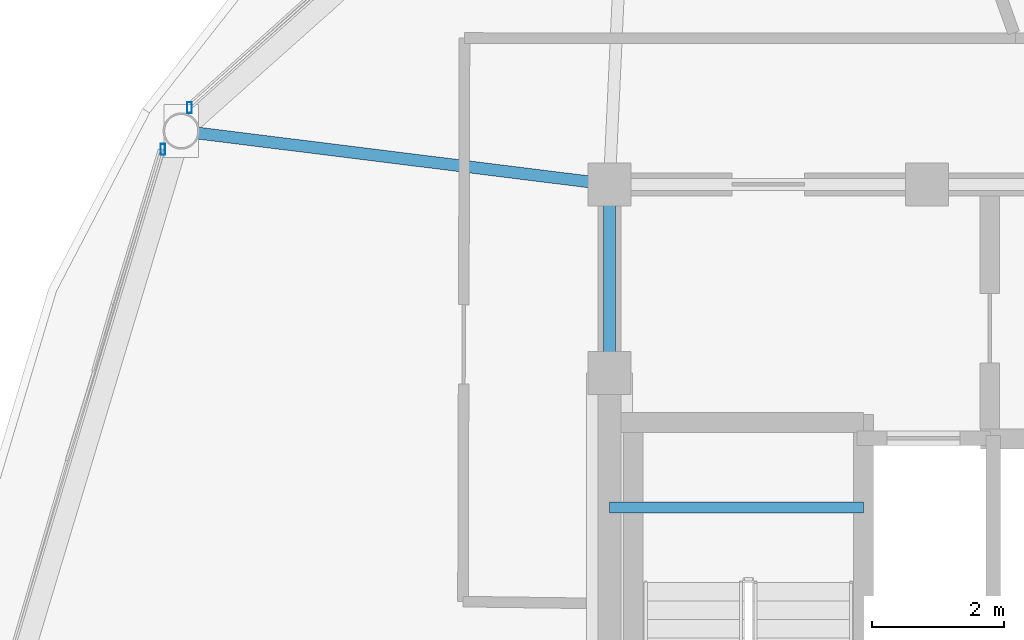
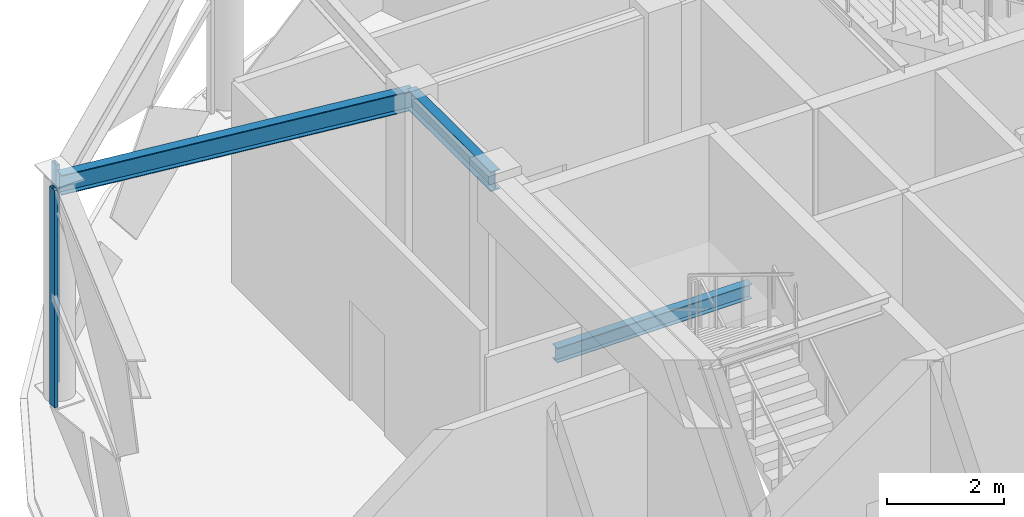
# One storey, part 8 of 22: 3 beams, 2 members, 2 elements without a shape of their own.
"""IFC4 building model written with IfcOpenShell, lengths in metres."""

from ifc_helpers import new_model, si_unit, direction, frame, origin, origin_2d, place, context, subcontext, project, spatial, hollow_rectangle, i_section, extrude, material, layer, layer_set, material_profile, profile_set, type_object, element, aggregate, save


model = new_model("IFC4")

# Units and contexts
model_context = context("Model", 3, precision=1e-05, world=origin(), true_north=direction((0.0, 1.0)))
body_context = subcontext(model_context, "Body", "Model", "MODEL_VIEW")
ifc_project = project(units=[si_unit("LENGTHUNIT", "METRE"), si_unit("AREAUNIT", "SQUARE_METRE"), si_unit("VOLUMEUNIT", "CUBIC_METRE"), si_unit("PLANEANGLEUNIT", "RADIAN"), si_unit("MASSUNIT", "GRAM", prefix="KILO")], contexts=[model_context])

# Site, building, storey
site_placement = place(None, origin())
site = spatial("IfcSite", under=ifc_project, at=site_placement, CompositionType="ELEMENT")
building_placement = place(site_placement, origin())
building = spatial("IfcBuilding", under=site, at=building_placement, Name="Vantalir Tower", CompositionType="ELEMENT")
storey_placement = place(building_placement, frame((0.0, 0.0, 294.89990234375)))
storey = spatial("IfcBuildingStorey", under=building, at=storey_placement, Name="L74", CompositionType="ELEMENT", Elevation=294.89990234375)

# Beams
ifc_material_1 = material(Name="Steel S355", Category="steel")
ifc_material_profile_1 = material_profile(ifc_material_1, i_section(OverallWidth=0.166015625, OverallDepth=0.306884765625, WebThickness=0.006591796875, FlangeThickness=0.01171875, at=origin_2d()), Name="Steel S355")
ifc_profile_set_1 = profile_set([ifc_material_profile_1], Name="Steel S355")
beam_type_1 = type_object("IfcBeamType", Name="BM-JS-305x165", PredefinedType="JOIST", material=ifc_profile_set_1)
beam_1_placement = place(storey_placement, frame((21.89990234375, 27.56494140625, 2.046142578125), z_axis=(1.0, 0.0, 0.0), x_axis=(0.0, 1.0, 0.0)))
element("IfcBeam", 1, at=beam_1_placement, inside=storey, type_object=beam_type_1, Name="L74 Stair ST1 Half-Landing Support Beam", PredefinedType="JOIST", context=body_context, shape_type="SweptSolid", body=[
    extrude(i_section(OverallWidth=0.166015625, OverallDepth=0.306884765625, WebThickness=0.006591796875, FlangeThickness=0.01171875, at=origin_2d()), origin(), (0.0, 0.0, 1.0), 3.840087890625),
])
ifc_material_profile_2 = material_profile(ifc_material_1, i_section(OverallWidth=0.179931640625, OverallDepth=0.4130859375, WebThickness=0.009521484375, FlangeThickness=0.01611328125, at=origin_2d()), Name="Steel S355")
ifc_profile_set_2 = profile_set([ifc_material_profile_2], Name="Steel S355")
beam_type_2 = type_object("IfcBeamType", Name="BM-RB-406x178", PredefinedType="BEAM", material=ifc_profile_set_2)
beam_2_placement = place(storey_placement, frame((21.89990234375, 32.449951171875, 4.4140625), z_axis=(0.0, -1.0, 0.0), x_axis=(1.0, 0.0, 0.0)))
element("IfcBeam", 2, at=beam_2_placement, inside=storey, type_object=beam_type_2, Name="L74 Core Coupling Girder 12", PredefinedType="BEAM", context=body_context, shape_type="SweptSolid", body=[
    extrude(i_section(OverallWidth=0.179931640625, OverallDepth=0.4130859375, WebThickness=0.009521484375, FlangeThickness=0.01611328125, at=origin_2d()), origin(), (0.0, 0.0, 1.0), 2.849853515625),
])
beam_3_placement = place(storey_placement, frame((15.427001953125, 33.256103515625, 4.4140625), z_axis=(0.992333630483, -0.123587886993, 0.0), x_axis=(0.123587886993, 0.992333630483, 0.0)))
element("IfcBeam", 3, at=beam_3_placement, inside=storey, type_object=beam_type_2, Name="L74 Radial Floor Beam 06", PredefinedType="BEAM", context=body_context, shape_type="SweptSolid", body=[
    extrude(i_section(OverallWidth=0.179931640625, OverallDepth=0.4130859375, WebThickness=0.009521484375, FlangeThickness=0.01611328125, at=origin_2d()), origin(), (0.0, 0.0, 1.0), 6.52294921875),
])

# Curtain wall, member
ifc_material_2 = material(Name="Champagne-silver PVDF aluminium and double-silver Low-E glass", Category="aluminium")
ifc_layer = layer(ifc_material_2, 0.219970703125)
ifc_layer_set = layer_set([ifc_layer], Name="Champagne-silver PVDF aluminium and double-silver Low-E glass")
curtain_wall_type = type_object("IfcCurtainWallType", Name="CW-DIAMOND-Z4", PredefinedType="USERDEFINED", material=ifc_layer_set)
curtain_wall_1_placement = place(storey_placement, origin())
curtain_wall_1 = element("IfcCurtainWall", 4, at=curtain_wall_1_placement, inside=storey, type_object=curtain_wall_type, Name="L74 Quilted Pyramid-Diamond Curtain Wall S05", ObjectType="UNITISED CURTAIN WALL", PredefinedType="USERDEFINED")
ifc_material_3 = material(Name="Champagne-silver PVDF aluminium 6063-T6", Category="aluminium")
ifc_material_profile_3 = material_profile(ifc_material_3, hollow_rectangle(XDim=0.070068359375, YDim=0.1650390625, WallThickness=0.00390625, at=origin_2d()), Name="Champagne-silver PVDF aluminium 6063-T6")
ifc_profile_set_3 = profile_set([ifc_material_profile_3], Name="Champagne-silver PVDF aluminium 6063-T6")
member_type = type_object("IfcMemberType", Name="CWM-165x70", PredefinedType="MULLION", material=ifc_profile_set_3)
member_1_placement = place(storey_placement, frame((15.552978515625, 33.610107421875, 0.045166015625), z_axis=(0.0, 0.0, 1.0), x_axis=(1.0, 0.0, 0.0)))
member_1 = element("IfcMember", 5, at=member_1_placement, type_object=member_type, Name="CW-L74-S05 Mullion 2", PredefinedType="MULLION", context=body_context, shape_type="SweptSolid", body=[
    extrude(hollow_rectangle(XDim=0.070068359375, YDim=0.1650390625, WallThickness=0.00390625, at=origin_2d()), origin(), (0.0, 0.0, 1.0), 4.530029296875),
])
aggregate(curtain_wall_1, [member_1])

curtain_wall_2_placement = place(storey_placement, origin())
curtain_wall_2 = element("IfcCurtainWall", 6, at=curtain_wall_2_placement, inside=storey, type_object=curtain_wall_type, Name="L74 Quilted Pyramid-Diamond Curtain Wall S06", ObjectType="UNITISED CURTAIN WALL", PredefinedType="USERDEFINED")
member_2_placement = place(storey_placement, frame((15.14990234375, 32.97802734375, 0.045166015625), z_axis=(0.0, 0.0, 1.0), x_axis=(1.0, 0.0, 0.0)))
member_2 = element("IfcMember", 7, at=member_2_placement, type_object=member_type, Name="CW-L74-S06 Mullion 1", PredefinedType="MULLION", context=body_context, shape_type="SweptSolid", body=[
    extrude(hollow_rectangle(XDim=0.070068359375, YDim=0.1650390625, WallThickness=0.00390625, at=origin_2d()), origin(), (0.0, 0.0, 1.0), 4.530029296875),
])
aggregate(curtain_wall_2, [member_2])

save(model, "model.ifc")
